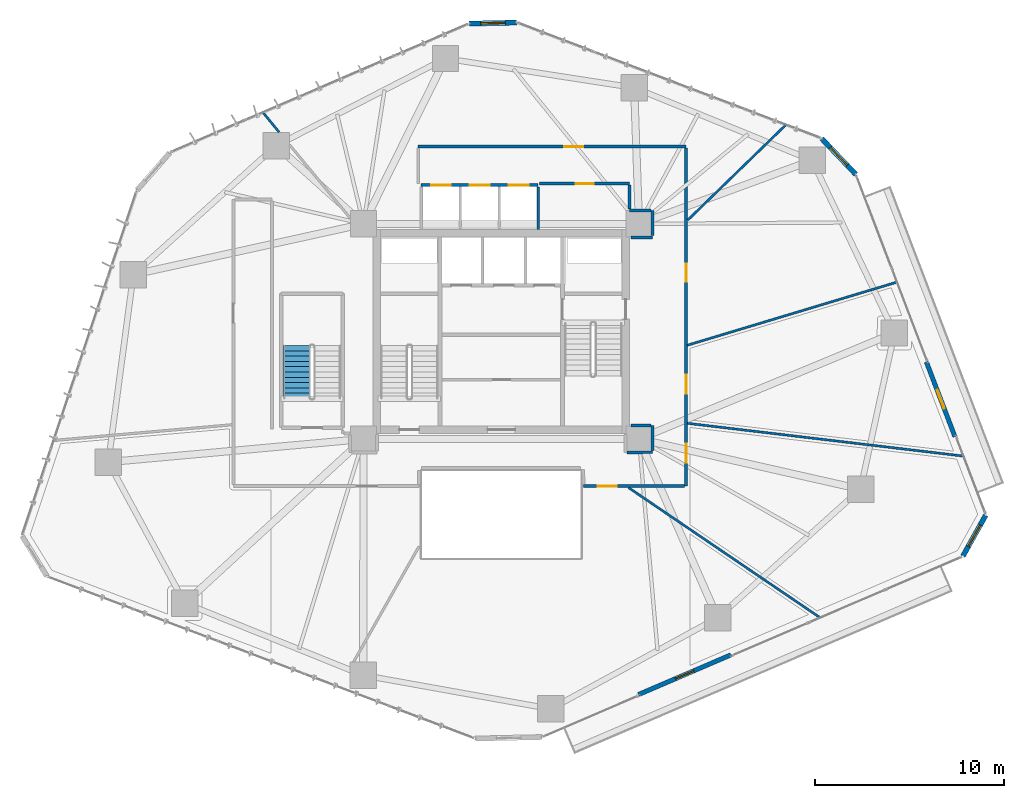
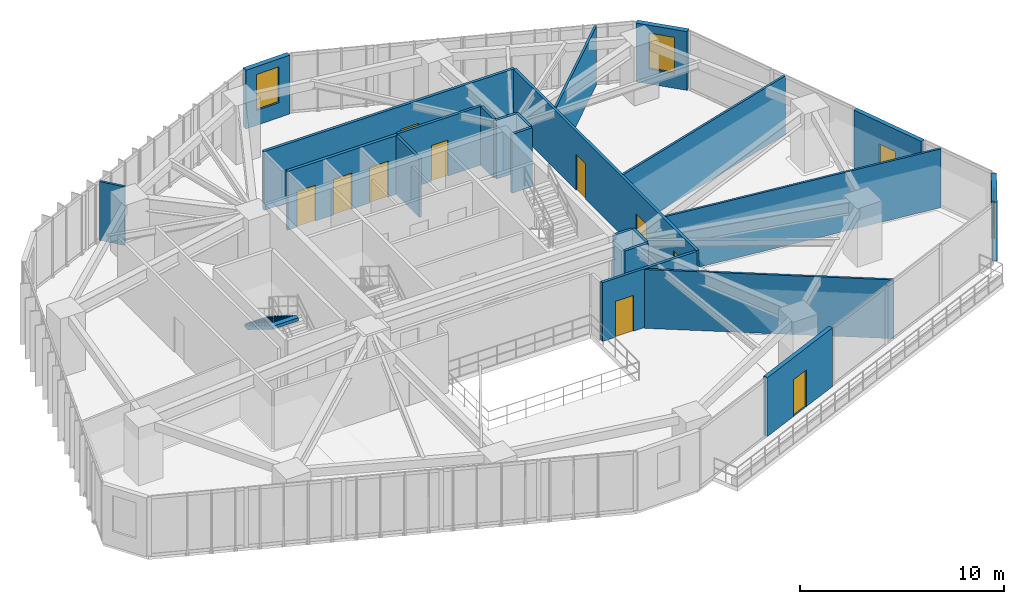
# One storey, part 19 of 23: 23 walls, 11 doors, 3 windows, 1 stair flight, 14 openings, 1 element without a shape of its own.
"""IFC4 building model written with IfcOpenShell, lengths in metres."""

from ifc_helpers import new_model, si_unit, direction, frame, frame_2d, origin, place, context, subcontext, project, spatial, polyline, rectangle, outline, extrude, source, transform, mapped, material, layer, layer_set, type_object, type_shapes, element, fill, aggregate, save


model = new_model("IFC4")

# Units and contexts
model_context = context("Model", 3, precision=1e-05, world=origin(), true_north=direction((0.0, 1.0)))
body_context = subcontext(model_context, "Body", "Model", "MODEL_VIEW")
ifc_project = project(units=[si_unit("LENGTHUNIT", "METRE"), si_unit("AREAUNIT", "SQUARE_METRE"), si_unit("VOLUMEUNIT", "CUBIC_METRE"), si_unit("PLANEANGLEUNIT", "RADIAN"), si_unit("MASSUNIT", "GRAM", prefix="KILO")], contexts=[model_context])

# Site, building, storey
site_placement = place(None, origin())
site = spatial("IfcSite", under=ifc_project, at=site_placement, CompositionType="ELEMENT")
building_placement = place(site_placement, origin())
building = spatial("IfcBuilding", under=site, at=building_placement, Name="Talar Marvaseh", CompositionType="ELEMENT")
storey_placement = place(building_placement, frame((0.0, 0.0, 27.800048828125)))
storey = spatial("IfcBuildingStorey", under=building, at=storey_placement, Name="L06", CompositionType="ELEMENT", Elevation=27.800048828125)

# Wall, opening, window
ifc_material_1 = material(Name="Precast concrete C45/55", Category="concrete")
ifc_layer_1 = layer(ifc_material_1, 0.27001953125)
ifc_layer_set_1 = layer_set([ifc_layer_1], Name="Precast concrete C45/55")
wall_type_1 = type_object("IfcWallType", Name="Chamfered Hexagonal Corner Pier Wall Z1 270", PredefinedType="SOLIDWALL", material=ifc_layer_set_1)
wall_1_placement = place(storey_placement, frame((24.304931640625, 47.517822265625, 0.0), z_axis=(0.0, 0.0, 1.0), x_axis=(0.999761629595, 0.02183309392, 0.0)))
wall_1 = element("IfcWall", 1, at=wall_1_placement, inside=storey, type_object=wall_type_1, Name="L06 Chamfered Corner Limestone Pier 3", PredefinedType="SOLIDWALL", context=body_context, shape_type="SweptSolid", body=[
    extrude(rectangle(XDim=2.515869140625, YDim=0.27001953125, at=frame_2d((1.2578125, 0.0))), origin(), (0.0, 0.0, 1.0), 3.52001953125),
])
opening_1_placement = place(wall_1_placement, frame((0.60791015625, 0.0, 0.89990234375)))
opening_1 = element("IfcOpeningElement", 2, at=opening_1_placement, cuts=wall_1, Name="Opening WN-CHM13", PredefinedType="OPENING", context=body_context, shape_type="SweptSolid", body=[
    extrude(rectangle(XDim=1.300048828125, YDim=2.14990234375, at=frame_2d((0.64990234375, 1.074951171875))), frame((0.0, 0.14501953125, 0.0), z_axis=(0.0, -1.0, 0.0), x_axis=(1.0, 0.0, 0.0)), (0.0, 0.0, 1.0), 0.2900390625),
])
ifc_material_2 = material(Name="Laminated Low-E Solar Glass", Category="glass")
window_type = type_object("IfcWindowType", Name="Zone 1 Chamfered Corner Slot Window 1300x2150", PartitioningType="SINGLE_PANEL", PredefinedType="WINDOW", material=ifc_material_2)
shared_shape_1 = source(origin(), body_context, "Body", "SweptSolid", [
    extrude(rectangle(XDim=1.300048828125, YDim=2.14990234375, at=frame_2d((0.64990234375, 1.074951171875))), frame((0.0, 0.030029296875, 0.0), z_axis=(0.0, -1.0, 0.0), x_axis=(1.0, 0.0, 0.0)), (0.0, 0.0, 1.0), 0.06005859375),
])
type_shapes(window_type, [shared_shape_1])
window_1_placement = place(opening_1_placement, origin())
window_1 = element("IfcWindow", 3, at=window_1_placement, inside=storey, type_object=window_type, Name="L06 Chamfered Corner Slot Window", OverallHeight=2.14990234375, OverallWidth=1.300048828125, PartitioningType="SINGLE_PANEL", PredefinedType="WINDOW", context=body_context, shape_type="MappedRepresentation", body=[
    mapped(shared_shape_1, transform((0.0, 0.0, 0.0), x_axis=(1.0, 0.0, 0.0), y_axis=(0.0, 1.0, 0.0), z_axis=(0.0, 0.0, 1.0), scale=1.0)),
])
fill(opening_1, window_1)

wall_2_placement = place(storey_placement, frame((42.986572265625, 41.42431640625, 0.0), z_axis=(0.0, 0.0, 1.0), x_axis=(0.68991773331, -0.723887782232, 0.0)))
wall_2 = element("IfcWall", 4, at=wall_2_placement, inside=storey, type_object=wall_type_1, Name="L06 Chamfered Corner Limestone Pier 4", PredefinedType="SOLIDWALL", context=body_context, shape_type="SweptSolid", body=[
    extrude(rectangle(XDim=2.623291015625, YDim=0.27001953125, at=frame_2d((1.3115234375, 0.0))), origin(), (0.0, 0.0, 1.0), 3.52001953125),
])
opening_2_placement = place(wall_2_placement, frame((0.662109375, 0.0, 0.89990234375)))
opening_2 = element("IfcOpeningElement", 5, at=opening_2_placement, cuts=wall_2, Name="Opening WN-CHM13", PredefinedType="OPENING", context=body_context, shape_type="SweptSolid", body=[
    extrude(rectangle(XDim=1.300048828125, YDim=2.14990234375, at=frame_2d((0.64990234375, 1.074951171875))), frame((0.0, 0.14501953125, 0.0), z_axis=(0.0, -1.0, 0.0), x_axis=(1.0, 0.0, 0.0)), (0.0, 0.0, 1.0), 0.2900390625),
])
window_2_placement = place(opening_2_placement, origin())
window_2 = element("IfcWindow", 6, at=window_2_placement, inside=storey, type_object=window_type, Name="L06 Chamfered Corner Slot Window", OverallHeight=2.14990234375, OverallWidth=1.300048828125, PartitioningType="SINGLE_PANEL", PredefinedType="WINDOW", context=body_context, shape_type="MappedRepresentation", body=[
    mapped(shared_shape_1, transform((0.0, 0.0, 0.0), x_axis=(1.0, 0.0, 0.0), y_axis=(0.0, 1.0, 0.0), z_axis=(0.0, 0.0, 1.0), scale=1.0)),
])
fill(opening_2, window_2)

wall_3_placement = place(storey_placement, frame((51.6796875, 21.456298828125, 0.0), z_axis=(0.0, 0.0, 1.0), x_axis=(-0.487477689924, -0.873135443002, 0.0)))
wall_3 = element("IfcWall", 7, at=wall_3_placement, inside=storey, type_object=wall_type_1, Name="L06 Chamfered Corner Limestone Pier 5", PredefinedType="SOLIDWALL", context=body_context, shape_type="SweptSolid", body=[
    extrude(rectangle(XDim=2.484130859375, YDim=0.27001953125, at=frame_2d((1.2421875, 0.0))), origin(), (0.0, 0.0, 1.0), 3.52001953125),
])
opening_3_placement = place(wall_3_placement, frame((0.592041015625, 0.0, 0.89990234375)))
opening_3 = element("IfcOpeningElement", 8, at=opening_3_placement, cuts=wall_3, Name="Opening WN-CHM13", PredefinedType="OPENING", context=body_context, shape_type="SweptSolid", body=[
    extrude(rectangle(XDim=1.300048828125, YDim=2.14990234375, at=frame_2d((0.64990234375, 1.074951171875))), frame((0.0, 0.14501953125, 0.0), z_axis=(0.0, -1.0, 0.0), x_axis=(1.0, 0.0, 0.0)), (0.0, 0.0, 1.0), 0.2900390625),
])
window_3_placement = place(opening_3_placement, origin())
window_3 = element("IfcWindow", 9, at=window_3_placement, inside=storey, type_object=window_type, Name="L06 Chamfered Corner Slot Window", OverallHeight=2.14990234375, OverallWidth=1.300048828125, PartitioningType="SINGLE_PANEL", PredefinedType="WINDOW", context=body_context, shape_type="MappedRepresentation", body=[
    mapped(shared_shape_1, transform((0.0, 0.0, 0.0), x_axis=(1.0, 0.0, 0.0), y_axis=(0.0, 1.0, 0.0), z_axis=(0.0, 0.0, 1.0), scale=1.0)),
])
fill(opening_3, window_3)

# Wall, opening, door
ifc_material_3 = material(Name="Gypsum Board Partition Assembly")
ifc_layer_2 = layer(ifc_material_3, 0.155029296875)
ifc_layer_set_2 = layer_set([ifc_layer_2], Name="Gypsum Board Partition Assembly")
wall_type_2 = type_object("IfcWallType", Name="Corridor Fire-Rated Acoustic Partition 155", PredefinedType="PARTITIONING", material=ifc_layer_set_2)
wall_4_placement = place(storey_placement, frame((32.800048828125, 39.0400390625, 0.0), z_axis=(0.0, 0.0, 1.0), x_axis=(-1.0, 0.0, 0.0)))
wall_4 = element("IfcWall", 10, at=wall_4_placement, inside=storey, type_object=wall_type_2, Name="L06 Interior Partition Wall", PredefinedType="PARTITIONING", context=body_context, shape_type="SweptSolid", body=[
    extrude(rectangle(XDim=4.77001953125, YDim=0.155029296875, at=frame_2d((2.385009765625, 0.0))), origin(), (0.0, 0.0, 1.0), 3.52001953125),
])
opening_4_placement = place(wall_4_placement, frame((1.909912109375, 0.0, 0.0)))
opening_4 = element("IfcOpeningElement", 11, at=opening_4_placement, cuts=wall_4, Name="Opening DR-WC095", PredefinedType="OPENING", context=body_context, shape_type="SweptSolid", body=[
    extrude(rectangle(XDim=0.949951171875, YDim=2.14990234375, at=frame_2d((0.47509765625, 1.074951171875))), frame((0.0, 0.08740234375, 0.0), z_axis=(0.0, -1.0, 0.0), x_axis=(1.0, 0.0, 0.0)), (0.0, 0.0, 1.0), 0.175048828125),
])
ifc_material_4 = material(Name="Acoustic Engineered Oak Timber", Category="wood")
door_type_1 = type_object("IfcDoorType", Name="Washroom and Service Room Door 950x2150", OperationType="NOTDEFINED", PredefinedType="DOOR", material=ifc_material_4)
shared_shape_2 = source(origin(), body_context, "Body", "SweptSolid", [
    extrude(rectangle(XDim=0.949951171875, YDim=2.14990234375, at=frame_2d((0.47509765625, 1.074951171875))), frame((0.0, 0.02490234375, 0.0), z_axis=(0.0, -1.0, 0.0), x_axis=(1.0, 0.0, 0.0)), (0.0, 0.0, 1.0), 0.050048828125),
])
type_shapes(door_type_1, [shared_shape_2])
door_1_placement = place(opening_4_placement, origin())
door_1 = element("IfcDoor", 12, at=door_1_placement, inside=storey, type_object=door_type_1, Name="L06 WC Public Washrooms Door", OperationType="SINGLE_SWING_RIGHT", OverallHeight=2.14990234375, OverallWidth=0.949951171875, PredefinedType="DOOR", context=body_context, shape_type="MappedRepresentation", body=[
    mapped(shared_shape_2, transform((0.0, 0.0, 0.0), x_axis=(1.0, 0.0, 0.0), y_axis=(0.0, 1.0, 0.0), z_axis=(0.0, 0.0, 1.0), scale=1.0)),
])
fill(opening_4, door_1)

wall_5_placement = place(storey_placement, frame((21.60009765625, 41.0, 0.0), z_axis=(0.0, 0.0, 1.0), x_axis=(1.0, 0.0, 0.0)))
wall_5 = element("IfcWall", 13, at=wall_5_placement, inside=storey, type_object=wall_type_2, Name="L06 Interior Partition Wall", PredefinedType="PARTITIONING", context=body_context, shape_type="SweptSolid", body=[
    extrude(rectangle(XDim=14.199951171875, YDim=0.155029296875, at=frame_2d((7.10009765625, 0.0))), origin(), (0.0, 0.0, 1.0), 3.52001953125),
])
opening_5_placement = place(wall_5_placement, frame((7.736083984375, 0.0, 0.0)))
opening_5 = element("IfcOpeningElement", 14, at=opening_5_placement, cuts=wall_5, Name="Opening DR-RM100", PredefinedType="OPENING", context=body_context, shape_type="SweptSolid", body=[
    extrude(rectangle(XDim=1.0, YDim=2.14990234375, at=frame_2d((0.5, 1.074951171875))), frame((0.0, 0.08740234375, 0.0), z_axis=(0.0, -1.0, 0.0), x_axis=(1.0, 0.0, 0.0)), (0.0, 0.0, 1.0), 0.175048828125),
])
door_type_2 = type_object("IfcDoorType", Name="Corridor Fire-Rated Gallery Door 1000x2150", OperationType="NOTDEFINED", PredefinedType="DOOR", material=ifc_material_4)
shared_shape_3 = source(origin(), body_context, "Body", "SweptSolid", [
    extrude(rectangle(XDim=1.0, YDim=2.14990234375, at=frame_2d((0.5, 1.074951171875))), frame((0.0, 0.02490234375, 0.0), z_axis=(0.0, -1.0, 0.0), x_axis=(1.0, 0.0, 0.0)), (0.0, 0.0, 1.0), 0.050048828125),
])
type_shapes(door_type_2, [shared_shape_3])
door_2_placement = place(opening_5_placement, origin())
door_2 = element("IfcDoor", 15, at=door_2_placement, inside=storey, type_object=door_type_2, Name="L06 Chamber Recital Salon Door", OperationType="SINGLE_SWING_LEFT", OverallHeight=2.14990234375, OverallWidth=1.0, PredefinedType="DOOR", context=body_context, shape_type="MappedRepresentation", body=[
    mapped(shared_shape_3, transform((0.0, 0.0, 0.0), x_axis=(1.0, 0.0, 0.0), y_axis=(0.0, 1.0, 0.0), z_axis=(0.0, 0.0, 1.0), scale=1.0)),
])
fill(opening_5, door_2)

# Wall, openings, doors
wall_6_placement = place(storey_placement, frame((35.800048828125, 40.91650390625, 0.0), z_axis=(0.0, 0.0, 1.0), x_axis=(0.0, -1.0, 0.0)))
wall_6 = element("IfcWall", 16, at=wall_6_placement, inside=storey, type_object=wall_type_2, Name="L06 Interior Partition Wall", PredefinedType="PARTITIONING", context=body_context, shape_type="SweptSolid", body=[
    extrude(rectangle(XDim=17.91650390625, YDim=0.155029296875, at=frame_2d((8.958251953125, 0.0))), origin(), (0.0, 0.0, 1.0), 3.52001953125),
])
opening_6_placement = place(wall_6_placement, frame((15.67822265625, 0.0, 0.0)))
opening_6 = element("IfcOpeningElement", 17, at=opening_6_placement, cuts=wall_6, Name="Opening DR-RM100", PredefinedType="OPENING", context=body_context, shape_type="SweptSolid", body=[
    extrude(rectangle(XDim=1.0, YDim=2.14990234375, at=frame_2d((0.5, 1.074951171875))), frame((0.0, 0.08740234375, 0.0), z_axis=(0.0, -1.0, 0.0), x_axis=(1.0, 0.0, 0.0)), (0.0, 0.0, 1.0), 0.175048828125),
])
opening_7_placement = place(wall_6_placement, frame((12.01904296875, 0.0, 0.0)))
opening_7 = element("IfcOpeningElement", 18, at=opening_7_placement, cuts=wall_6, Name="Opening DR-RM100", PredefinedType="OPENING", context=body_context, shape_type="SweptSolid", body=[
    extrude(rectangle(XDim=1.0, YDim=2.14990234375, at=frame_2d((0.5, 1.074951171875))), frame((0.0, 0.08740234375, 0.0), z_axis=(0.0, -1.0, 0.0), x_axis=(1.0, 0.0, 0.0)), (0.0, 0.0, 1.0), 0.175048828125),
])
opening_8_placement = place(wall_6_placement, frame((6.127197265625, 0.0, 0.0)))
opening_8 = element("IfcOpeningElement", 19, at=opening_8_placement, cuts=wall_6, Name="Opening DR-WC095", PredefinedType="OPENING", context=body_context, shape_type="SweptSolid", body=[
    extrude(rectangle(XDim=0.949951171875, YDim=2.14990234375, at=frame_2d((0.47509765625, 1.074951171875))), frame((0.0, 0.08740234375, 0.0), z_axis=(0.0, -1.0, 0.0), x_axis=(1.0, 0.0, 0.0)), (0.0, 0.0, 1.0), 0.175048828125),
])
door_3_placement = place(opening_8_placement, origin())
door_3 = element("IfcDoor", 20, at=door_3_placement, inside=storey, type_object=door_type_1, Name="L06 Accessible WC Block Door", OperationType="SINGLE_SWING_LEFT", OverallHeight=2.14990234375, OverallWidth=0.949951171875, PredefinedType="DOOR", context=body_context, shape_type="MappedRepresentation", body=[
    mapped(shared_shape_2, transform((0.0, 0.0, 0.0), x_axis=(1.0, 0.0, 0.0), y_axis=(0.0, 1.0, 0.0), z_axis=(0.0, 0.0, 1.0), scale=1.0)),
])
fill(opening_8, door_3)
door_4_placement = place(opening_6_placement, origin())
door_4 = element("IfcDoor", 21, at=door_4_placement, inside=storey, type_object=door_type_2, Name="L06 Main Reading Room Door", OperationType="SINGLE_SWING_LEFT", OverallHeight=2.14990234375, OverallWidth=1.0, PredefinedType="DOOR", context=body_context, shape_type="MappedRepresentation", body=[
    mapped(shared_shape_3, transform((0.0, 0.0, 0.0), x_axis=(1.0, 0.0, 0.0), y_axis=(0.0, 1.0, 0.0), z_axis=(0.0, 0.0, 1.0), scale=1.0)),
])
fill(opening_6, door_4)
door_5_placement = place(opening_7_placement, origin())
door_5 = element("IfcDoor", 22, at=door_5_placement, inside=storey, type_object=door_type_2, Name="L06 Archival Research Office Door", OperationType="SINGLE_SWING_RIGHT", OverallHeight=2.14990234375, OverallWidth=1.0, PredefinedType="DOOR", context=body_context, shape_type="MappedRepresentation", body=[
    mapped(shared_shape_3, transform((0.0, 0.0, 0.0), x_axis=(1.0, 0.0, 0.0), y_axis=(0.0, 1.0, 0.0), z_axis=(0.0, 0.0, 1.0), scale=1.0)),
])
fill(opening_7, door_5)

# Wall, opening, door
wall_7_placement = place(storey_placement, frame((35.716552734375, 23.0, 0.0), z_axis=(0.0, 0.0, 1.0), x_axis=(-1.0, 0.0, 0.0)))
wall_7 = element("IfcWall", 23, at=wall_7_placement, inside=storey, type_object=wall_type_2, Name="L06 Interior Partition Wall", PredefinedType="PARTITIONING", context=body_context, shape_type="SweptSolid", body=[
    extrude(rectangle(XDim=5.3564453125, YDim=0.155029296875, at=frame_2d((2.67822265625, 0.0))), origin(), (0.0, 0.0, 1.0), 3.52001953125),
])
opening_9_placement = place(wall_7_placement, frame((3.59619140625, 0.0, 0.0)))
opening_9 = element("IfcOpeningElement", 24, at=opening_9_placement, cuts=wall_7, Name="Opening DR-RM100", PredefinedType="OPENING", context=body_context, shape_type="SweptSolid", body=[
    extrude(rectangle(XDim=1.0, YDim=2.14990234375, at=frame_2d((0.5, 1.074951171875))), frame((0.0, 0.08740234375, 0.0), z_axis=(0.0, -1.0, 0.0), x_axis=(1.0, 0.0, 0.0)), (0.0, 0.0, 1.0), 0.175048828125),
])
door_6_placement = place(opening_9_placement, origin())
door_6 = element("IfcDoor", 25, at=door_6_placement, inside=storey, type_object=door_type_2, Name="L06 Curatorial Office Door", OperationType="SINGLE_SWING_RIGHT", OverallHeight=2.14990234375, OverallWidth=1.0, PredefinedType="DOOR", context=body_context, shape_type="MappedRepresentation", body=[
    mapped(shared_shape_3, transform((0.0, 0.0, 0.0), x_axis=(1.0, 0.0, 0.0), y_axis=(0.0, 1.0, 0.0), z_axis=(0.0, 0.0, 1.0), scale=1.0)),
])
fill(opening_9, door_6)

# Walls
wall_8_placement = place(storey_placement, frame((32.67529296875, 24.788330078125, 0.0), z_axis=(0.0, 0.0, 1.0), x_axis=(0.999961738884, 0.008747614993, 0.0)))
element("IfcWall", 26, at=wall_8_placement, inside=storey, type_object=wall_type_2, Name="L06 Interior Partition Wall", PredefinedType="PARTITIONING", context=body_context, shape_type="SweptSolid", body=[
    extrude(rectangle(XDim=1.339599609375, YDim=0.155029296875, at=frame_2d((0.669921875, 0.0))), origin(), (0.0, 0.0, 1.0), 3.52001953125),
])
wall_9_placement = place(storey_placement, frame((34.014892578125, 24.883544921875, 0.0), z_axis=(0.0, 0.0, 1.0), x_axis=(-0.002393659134, 0.999997135194, 0.0)))
element("IfcWall", 27, at=wall_9_placement, inside=storey, type_object=wall_type_2, Name="L06 Interior Partition Wall", PredefinedType="PARTITIONING", context=body_context, shape_type="SweptSolid", body=[
    extrude(rectangle(XDim=1.325927734375, YDim=0.155029296875, at=frame_2d((0.6630859375, 0.0))), origin(), (0.0, 0.0, 1.0), 3.52001953125),
])
wall_10_placement = place(storey_placement, frame((33.927978515625, 26.2099609375, 0.0), z_axis=(0.0, 0.0, 1.0), x_axis=(-0.999988255797, 0.004846469737, 0.0)))
element("IfcWall", 28, at=wall_10_placement, inside=storey, type_object=wall_type_2, Name="L06 Interior Partition Wall", PredefinedType="PARTITIONING", context=body_context, shape_type="SweptSolid", body=[
    extrude(rectangle(XDim=1.057861328125, YDim=0.155029296875, at=frame_2d((0.52880859375, 0.0))), origin(), (0.0, 0.0, 1.0), 3.52001953125),
])
wall_11_placement = place(storey_placement, frame((32.8701171875, 36.18505859375, 0.0), z_axis=(0.0, 0.0, 1.0), x_axis=(0.999988932255, 0.00470482389, 0.0)))
element("IfcWall", 29, at=wall_11_placement, inside=storey, type_object=wall_type_2, Name="L06 Interior Partition Wall", PredefinedType="PARTITIONING", context=body_context, shape_type="SweptSolid", body=[
    extrude(rectangle(XDim=1.1416015625, YDim=0.155029296875, at=frame_2d((0.57080078125, 0.0))), origin(), (0.0, 0.0, 1.0), 3.52001953125),
])
wall_12_placement = place(storey_placement, frame((34.01171875, 36.27392578125, 0.0), z_axis=(0.0, 0.0, 1.0), x_axis=(0.0, 1.0, 0.0)))
element("IfcWall", 30, at=wall_12_placement, inside=storey, type_object=wall_type_2, Name="L06 Interior Partition Wall", PredefinedType="PARTITIONING", context=body_context, shape_type="SweptSolid", body=[
    extrude(rectangle(XDim=1.335693359375, YDim=0.155029296875, at=frame_2d((0.66796875, 0.0))), origin(), (0.0, 0.0, 1.0), 3.52001953125),
])
wall_13_placement = place(storey_placement, frame((33.927978515625, 37.60986328125, 0.0), z_axis=(0.0, 0.0, 1.0), x_axis=(-0.999989669582, 0.004545407589, 0.0)))
element("IfcWall", 31, at=wall_13_placement, inside=storey, type_object=wall_type_2, Name="L06 Interior Partition Wall", PredefinedType="PARTITIONING", context=body_context, shape_type="SweptSolid", body=[
    extrude(rectangle(XDim=1.1279296875, YDim=0.155029296875, at=frame_2d((0.56396484375, 0.0))), origin(), (0.0, 0.0, 1.0), 3.52001953125),
])
wall_14_placement = place(storey_placement, frame((32.800048828125, 37.698486328125, 0.0), z_axis=(0.0, 0.0, 1.0), x_axis=(0.0, 1.0, 0.0)))
element("IfcWall", 32, at=wall_14_placement, inside=storey, type_object=wall_type_2, Name="L06 Interior Partition Wall", PredefinedType="PARTITIONING", context=body_context, shape_type="SweptSolid", body=[
    extrude(rectangle(XDim=1.258056640625, YDim=0.155029296875, at=frame_2d((0.62890625, 0.0))), origin(), (0.0, 0.0, 1.0), 3.52001953125),
])
ifc_layer_3 = layer(ifc_material_3, 0.1201171875)
ifc_layer_set_3 = layer_set([ifc_layer_3], Name="Gypsum Board Partition Assembly")
wall_type_3 = type_object("IfcWallType", Name="Demountable Studio Room Partition 120", PredefinedType="PARTITIONING", material=ifc_layer_set_3)
wall_15_placement = place(storey_placement, frame((32.753173828125, 22.91650390625, 0.0), z_axis=(0.0, 0.0, 1.0), x_axis=(0.827470481004, -0.561509219039, 0.0)))
element("IfcWall", 33, at=wall_15_placement, inside=storey, type_object=wall_type_3, Name="L06 Interior Partition Wall", PredefinedType="PARTITIONING", context=body_context, shape_type="SweptSolid", body=[
    extrude(rectangle(XDim=12.24560546875, YDim=0.1201171875, at=frame_2d((6.122802734375, 0.0))), origin(), (0.0, 0.0, 1.0), 3.52001953125),
])
wall_16_placement = place(storey_placement, frame((35.864501953125, 26.332275390625, 0.0), z_axis=(0.0, 0.0, 1.0), x_axis=(0.993018746571, -0.117956640165, 0.0)))
element("IfcWall", 34, at=wall_16_placement, inside=storey, type_object=wall_type_3, Name="L06 Interior Partition Wall", PredefinedType="PARTITIONING", context=body_context, shape_type="SweptSolid", body=[
    extrude(rectangle(XDim=14.718017578125, YDim=0.1201171875, at=frame_2d((7.35888671875, 0.0))), origin(), (0.0, 0.0, 1.0), 3.52001953125),
])
wall_17_placement = place(storey_placement, frame((35.8623046875, 30.46875, 0.0), z_axis=(0.0, 0.0, 1.0), x_axis=(0.957511413738, 0.288395375418, 0.0)))
element("IfcWall", 35, at=wall_17_placement, inside=storey, type_object=wall_type_3, Name="L06 Interior Partition Wall", PredefinedType="PARTITIONING", context=body_context, shape_type="SweptSolid", body=[
    extrude(rectangle(XDim=11.587646484375, YDim=0.1201171875, at=frame_2d((5.7939453125, 0.0))), origin(), (0.0, 0.0, 1.0), 3.52001953125),
])
wall_18_placement = place(storey_placement, frame((35.883544921875, 37.10107421875, 0.0), z_axis=(0.0, 0.0, 1.0), x_axis=(0.717517627966, 0.696540345966, 0.0)))
element("IfcWall", 36, at=wall_18_placement, inside=storey, type_object=wall_type_3, Name="L06 Interior Partition Wall", PredefinedType="PARTITIONING", context=body_context, shape_type="SweptSolid", body=[
    extrude(rectangle(XDim=7.227294921875, YDim=0.1201171875, at=frame_2d((3.61376953125, 0.0))), origin(), (0.0, 0.0, 1.0), 3.52001953125),
])
wall_19_placement = place(storey_placement, frame((14.22998046875, 41.760009765625, 0.0), z_axis=(0.0, 0.0, 1.0), x_axis=(-0.634105895506, 0.773246217763, 0.0)))
element("IfcWall", 37, at=wall_19_placement, inside=storey, type_object=wall_type_3, Name="L06 Interior Partition Wall", PredefinedType="PARTITIONING", context=body_context, shape_type="SweptSolid", body=[
    extrude(rectangle(XDim=1.331787109375, YDim=0.1201171875, at=frame_2d((0.666015625, 0.0))), origin(), (0.0, 0.0, 1.0), 3.52001953125),
])
ifc_layer_4 = layer(ifc_material_1, 0.14501953125)
ifc_layer_set_4 = layer_set([ifc_layer_4], Name="Precast concrete C45/55")
wall_type_4 = type_object("IfcWallType", Name="Fire-Rated Lift Divider Wall 145", PredefinedType="SOLIDWALL", material=ifc_layer_set_4)
wall_20_placement = place(storey_placement, frame((27.9599609375, 36.60009765625, 0.0), z_axis=(0.0, 0.0, 1.0), x_axis=(0.0, 1.0, 0.0)))
element("IfcWall", 38, at=wall_20_placement, inside=storey, type_object=wall_type_4, Name="L06 Low-Rise Bank East Wall", PredefinedType="SOLIDWALL", context=body_context, shape_type="SweptSolid", body=[
    extrude(rectangle(XDim=2.266357421875, YDim=0.14501953125, at=frame_2d((1.13330078125, 0.0))), origin(), (0.0, 0.0, 1.0), 3.52001953125),
])

# Wall, openings, doors
ifc_layer_5 = layer(ifc_material_1, 0.175048828125)
ifc_layer_set_5 = layer_set([ifc_layer_5], Name="Precast concrete C45/55")
wall_type_5 = type_object("IfcWallType", Name="Fire-Rated Lift Hoistway Enclosure Wall 175", PredefinedType="SOLIDWALL", material=ifc_layer_set_5)
wall_21_placement = place(storey_placement, frame((21.760009765625, 38.9599609375, 0.0), z_axis=(0.0, 0.0, 1.0), x_axis=(1.0, 0.0, 0.0)))
wall_21 = element("IfcWall", 39, at=wall_21_placement, inside=storey, type_object=wall_type_5, Name="L06 Low-Rise Lift Bank Front Wall", PredefinedType="SOLIDWALL", context=body_context, shape_type="SweptSolid", body=[
    extrude(rectangle(XDim=6.199951171875, YDim=0.175048828125, at=frame_2d((3.10009765625, 0.0))), origin(), (0.0, 0.0, 1.0), 3.52001953125),
])
opening_10_placement = place(wall_21_placement, frame((0.52001953125, 0.0, 0.0)))
opening_10 = element("IfcOpeningElement", 40, at=opening_10_placement, cuts=wall_21, Name="Opening LD-PLL1", PredefinedType="OPENING", context=body_context, shape_type="SweptSolid", body=[
    extrude(rectangle(XDim=1.050048828125, YDim=2.14990234375, at=frame_2d((0.52490234375, 1.074951171875))), frame((0.0, 0.09765625, 0.0), z_axis=(0.0, -1.0, 0.0), x_axis=(1.0, 0.0, 0.0)), (0.0, 0.0, 1.0), 0.195068359375),
])
opening_11_placement = place(wall_21_placement, frame((2.580078125, 0.0, 0.0)))
opening_11 = element("IfcOpeningElement", 41, at=opening_11_placement, cuts=wall_21, Name="Opening LD-PLL2", PredefinedType="OPENING", context=body_context, shape_type="SweptSolid", body=[
    extrude(rectangle(XDim=1.050048828125, YDim=2.14990234375, at=frame_2d((0.52490234375, 1.074951171875))), frame((0.0, 0.09765625, 0.0), z_axis=(0.0, -1.0, 0.0), x_axis=(1.0, 0.0, 0.0)), (0.0, 0.0, 1.0), 0.195068359375),
])
opening_12_placement = place(wall_21_placement, frame((4.639892578125, 0.0, 0.0)))
opening_12 = element("IfcOpeningElement", 42, at=opening_12_placement, cuts=wall_21, Name="Opening LD-PLL3", PredefinedType="OPENING", context=body_context, shape_type="SweptSolid", body=[
    extrude(rectangle(XDim=1.050048828125, YDim=2.14990234375, at=frame_2d((0.52490234375, 1.074951171875))), frame((0.0, 0.09765625, 0.0), z_axis=(0.0, -1.0, 0.0), x_axis=(1.0, 0.0, 0.0)), (0.0, 0.0, 1.0), 0.195068359375),
])
ifc_material_5 = material(Name="Stainless Steel Grade 316", Category="steel")
door_type_3 = type_object("IfcDoorType", Name="Automatic Sliding Lift Landing Door 1050x2150", OperationType="NOTDEFINED", PredefinedType="DOOR", material=ifc_material_5)
shared_shape_4 = source(origin(), body_context, "Body", "SweptSolid", [
    extrude(rectangle(XDim=1.050048828125, YDim=2.14990234375, at=frame_2d((0.52490234375, 1.074951171875))), frame((0.0, 0.02490234375, 0.0), z_axis=(0.0, -1.0, 0.0), x_axis=(1.0, 0.0, 0.0)), (0.0, 0.0, 1.0), 0.050048828125),
])
type_shapes(door_type_3, [shared_shape_4])
door_7_placement = place(opening_10_placement, origin())
door_7 = element("IfcDoor", 43, at=door_7_placement, inside=storey, type_object=door_type_3, Name="L06 Lift PL-L1 Sliding Landing Door", OperationType="SLIDING_TO_LEFT", OverallHeight=2.14990234375, OverallWidth=1.050048828125, PredefinedType="DOOR", context=body_context, shape_type="MappedRepresentation", body=[
    mapped(shared_shape_4, transform((0.0, 0.0, 0.0), x_axis=(1.0, 0.0, 0.0), y_axis=(0.0, 1.0, 0.0), z_axis=(0.0, 0.0, 1.0), scale=1.0)),
])
fill(opening_10, door_7)
door_8_placement = place(opening_11_placement, origin())
door_8 = element("IfcDoor", 44, at=door_8_placement, inside=storey, type_object=door_type_3, Name="L06 Lift PL-L2 Sliding Landing Door", OperationType="SLIDING_TO_LEFT", OverallHeight=2.14990234375, OverallWidth=1.050048828125, PredefinedType="DOOR", context=body_context, shape_type="MappedRepresentation", body=[
    mapped(shared_shape_4, transform((0.0, 0.0, 0.0), x_axis=(1.0, 0.0, 0.0), y_axis=(0.0, 1.0, 0.0), z_axis=(0.0, 0.0, 1.0), scale=1.0)),
])
fill(opening_11, door_8)
door_9_placement = place(opening_12_placement, origin())
door_9 = element("IfcDoor", 45, at=door_9_placement, inside=storey, type_object=door_type_3, Name="L06 Lift PL-L3 Sliding Landing Door", OperationType="SLIDING_TO_LEFT", OverallHeight=2.14990234375, OverallWidth=1.050048828125, PredefinedType="DOOR", context=body_context, shape_type="MappedRepresentation", body=[
    mapped(shared_shape_4, transform((0.0, 0.0, 0.0), x_axis=(1.0, 0.0, 0.0), y_axis=(0.0, 1.0, 0.0), z_axis=(0.0, 0.0, 1.0), scale=1.0)),
])
fill(opening_12, door_9)

# Wall, opening, door
ifc_layer_6 = layer(ifc_material_1, 0.235107421875)
ifc_layer_set_6 = layer_set([ifc_layer_6], Name="Precast concrete C45/55")
wall_type_6 = type_object("IfcWallType", Name="Terrace Threshold Glazed Spandrel Wall 235", PredefinedType="SOLIDWALL", material=ifc_layer_set_6)
wall_22_placement = place(storey_placement, frame((48.533935546875, 29.584716796875, 0.0), z_axis=(0.0, 0.0, 1.0), x_axis=(0.356785656858, -0.934186274284, 0.0)))
wall_22 = element("IfcWall", 46, at=wall_22_placement, inside=storey, type_object=wall_type_6, Name="L06 Terrace Threshold Wall", PredefinedType="SOLIDWALL", context=body_context, shape_type="SweptSolid", body=[
    extrude(rectangle(XDim=4.238525390625, YDim=0.235107421875, at=frame_2d((2.119140625, 0.0))), origin(), (0.0, 0.0, 1.0), 3.52001953125),
])
opening_13_placement = place(wall_22_placement, frame((1.593994140625, 0.0, 0.0)))
opening_13 = element("IfcOpeningElement", 47, at=opening_13_placement, cuts=wall_22, Name="Opening DR-TER10", PredefinedType="OPENING", context=body_context, shape_type="SweptSolid", body=[
    extrude(rectangle(XDim=1.050048828125, YDim=2.199951171875, at=frame_2d((0.52490234375, 1.10009765625))), frame((0.0, 0.12744140625, 0.0), z_axis=(0.0, -1.0, 0.0), x_axis=(1.0, 0.0, 0.0)), (0.0, 0.0, 1.0), 0.255126953125),
])
ifc_material_6 = material(Name="Architectural Aluminium", Category="aluminium")
door_type_4 = type_object("IfcDoorType", Name="External Terrace Weatherproof Glazed Door 1050x2200", OperationType="NOTDEFINED", PredefinedType="DOOR", material=ifc_material_6)
shared_shape_5 = source(origin(), body_context, "Body", "SweptSolid", [
    extrude(rectangle(XDim=1.050048828125, YDim=2.199951171875, at=frame_2d((0.52490234375, 1.10009765625))), frame((0.0, 0.02490234375, 0.0), z_axis=(0.0, -1.0, 0.0), x_axis=(1.0, 0.0, 0.0)), (0.0, 0.0, 1.0), 0.050048828125),
])
type_shapes(door_type_4, [shared_shape_5])
door_10_placement = place(opening_13_placement, origin())
door_10 = element("IfcDoor", 48, at=door_10_placement, inside=storey, type_object=door_type_4, Name="L06 External Planted Terrace Access Door", OperationType="SINGLE_SWING_LEFT", OverallHeight=2.199951171875, OverallWidth=1.050048828125, PredefinedType="DOOR", context=body_context, shape_type="MappedRepresentation", body=[
    mapped(shared_shape_5, transform((0.0, 0.0, 0.0), x_axis=(1.0, 0.0, 0.0), y_axis=(0.0, 1.0, 0.0), z_axis=(0.0, 0.0, 1.0), scale=1.0)),
])
fill(opening_13, door_10)

wall_23_placement = place(storey_placement, frame((38.1728515625, 14.058837890625, 0.0), z_axis=(0.0, 0.0, 1.0), x_axis=(-0.918841484059, -0.394626820139, 0.0)))
wall_23 = element("IfcWall", 49, at=wall_23_placement, inside=storey, type_object=wall_type_6, Name="L06 Terrace Threshold Wall", PredefinedType="SOLIDWALL", context=body_context, shape_type="SweptSolid", body=[
    extrude(rectangle(XDim=5.329833984375, YDim=0.235107421875, at=frame_2d((2.6650390625, 0.0))), origin(), (0.0, 0.0, 1.0), 3.52001953125),
])
opening_14_placement = place(wall_23_placement, frame((2.139892578125, 0.0, 0.0)))
opening_14 = element("IfcOpeningElement", 50, at=opening_14_placement, cuts=wall_23, Name="Opening DR-TER10", PredefinedType="OPENING", context=body_context, shape_type="SweptSolid", body=[
    extrude(rectangle(XDim=1.050048828125, YDim=2.199951171875, at=frame_2d((0.52490234375, 1.10009765625))), frame((0.0, 0.12744140625, 0.0), z_axis=(0.0, -1.0, 0.0), x_axis=(1.0, 0.0, 0.0)), (0.0, 0.0, 1.0), 0.255126953125),
])
door_11_placement = place(opening_14_placement, origin())
door_11 = element("IfcDoor", 51, at=door_11_placement, inside=storey, type_object=door_type_4, Name="L06 External Planted Terrace Access Door", OperationType="SINGLE_SWING_RIGHT", OverallHeight=2.199951171875, OverallWidth=1.050048828125, PredefinedType="DOOR", context=body_context, shape_type="MappedRepresentation", body=[
    mapped(shared_shape_5, transform((0.0, 0.0, 0.0), x_axis=(1.0, 0.0, 0.0), y_axis=(0.0, 1.0, 0.0), z_axis=(0.0, 0.0, 1.0), scale=1.0)),
])
fill(opening_14, door_11)

# Stair, stair flight
ifc_material_7 = material(Name="Concrete C40/50", Category="concrete")
stair_type = type_object("IfcStairType", Name="Reinforced Concrete Half-Turn Exit Stair Type B", PredefinedType="HALF_TURN_STAIR", material=ifc_material_7)
stair_placement = place(storey_placement, origin())
stair = element("IfcStair", 52, at=stair_placement, inside=storey, type_object=stair_type, Name="L06 Museum & Podium Auxiliary Exit Stair", PredefinedType="HALF_TURN_STAIR")
ifc_layer_7 = layer(ifc_material_7, 0.159912109375)
ifc_layer_set_7 = layer_set([ifc_layer_7], Name="Concrete C40/50")
stair_flight_type = type_object("IfcStairFlightType", Name="Reinforced Concrete Straight Stair Flight 160", PredefinedType="STRAIGHT", material=ifc_layer_set_7)
stair_flight_placement = place(storey_placement, frame((15.1650390625, 30.449951171875, 1.89990234375), z_axis=(0.0, 0.0, 1.0), x_axis=(0.0, -1.0, 0.0)))
stair_flight = element("IfcStairFlight", 53, at=stair_flight_placement, type_object=stair_flight_type, Name="ST-3 flight 2", NumberOfRisers=11, NumberOfTreads=10, PredefinedType="STRAIGHT", RiserHeight=0.172727273, TreadLength=0.28, context=body_context, shape_type="SweptSolid", body=[
    extrude(outline(polyline([(0.0, 0.0), (0.0, 0.172607421875), (0.280029296875, 0.172607421875), (0.280029296875, 0.345458984375), (0.56005859375, 0.345458984375), (0.56005859375, 0.51806640625), (0.840087890625, 0.51806640625), (0.840087890625, 0.69091796875), (1.1201171875, 0.69091796875), (1.1201171875, 0.863525390625), (1.39990234375, 0.863525390625), (1.39990234375, 1.036376953125), (1.679931640625, 1.036376953125), (1.679931640625, 1.208984375), (1.9599609375, 1.208984375), (1.9599609375, 1.3818359375), (2.239990234375, 1.3818359375), (2.239990234375, 1.554443359375), (2.52001953125, 1.554443359375), (2.52001953125, 1.727294921875), (2.800048828125, 1.727294921875), (2.800048828125, 1.89990234375), (2.800048828125, 1.539306640625), (0.3046875, 0.0), (0.0, 0.0)])), frame((0.0, 0.72509765625, 0.0), z_axis=(0.0, -1.0, 0.0), x_axis=(1.0, 0.0, 0.0)), (0.0, 0.0, 1.0), 1.449951171875),
])
aggregate(stair, [stair_flight])

save(model, "model.ifc")
